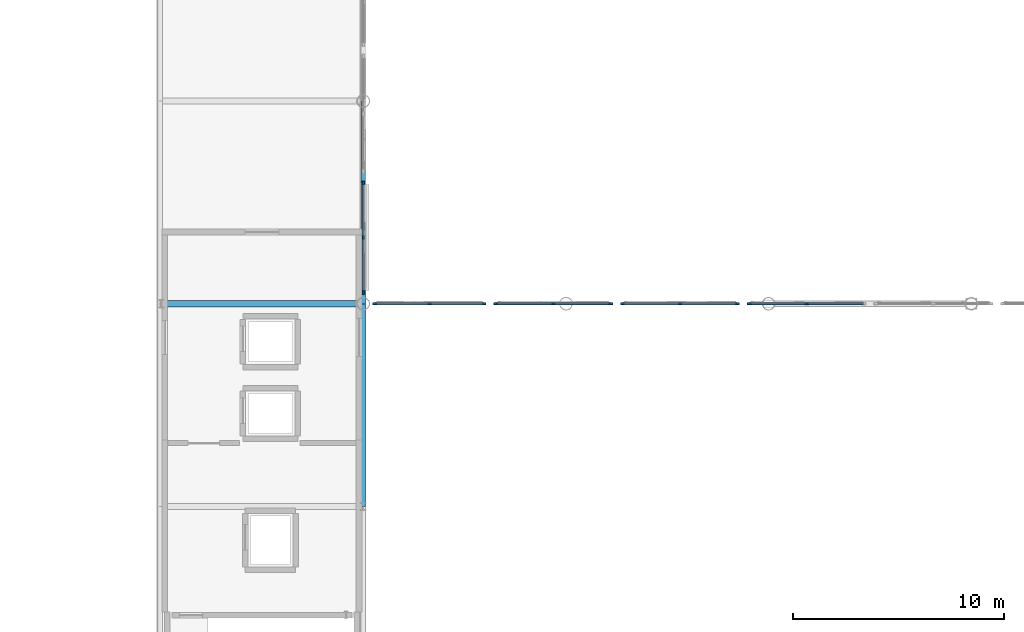
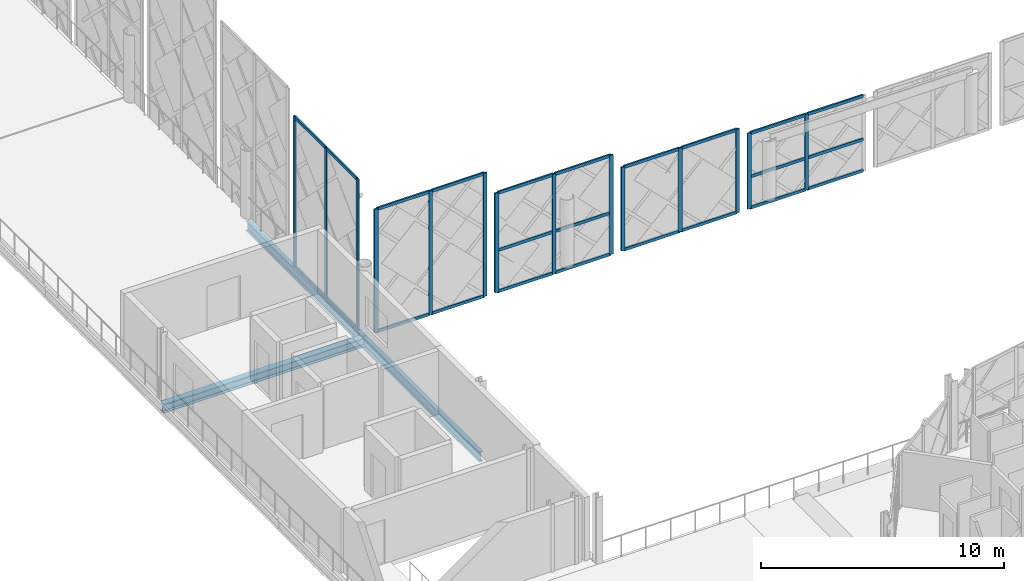
# One storey, part 16 of 53: 38 members, 3 beams, 5 elements without a shape of their own.
"""IFC4 building model written with IfcOpenShell, lengths in metres."""

from ifc_helpers import new_model, si_unit, direction, frame, origin, origin_2d, place, context, subcontext, project, spatial, rectangle, i_section, extrude, material, layer, layer_set, material_profile, profile_set, type_object, element, aggregate, save


model = new_model("IFC4")

# Units and contexts
model_context = context("Model", 3, precision=1e-05, world=origin(), true_north=direction((0.0, 1.0)))
body_context = subcontext(model_context, "Body", "Model", "MODEL_VIEW")
ifc_project = project(units=[si_unit("LENGTHUNIT", "METRE"), si_unit("AREAUNIT", "SQUARE_METRE"), si_unit("VOLUMEUNIT", "CUBIC_METRE"), si_unit("PLANEANGLEUNIT", "RADIAN"), si_unit("MASSUNIT", "GRAM", prefix="KILO")], contexts=[model_context])

# Site, building, storey
site_placement = place(None, origin())
site = spatial("IfcSite", under=ifc_project, at=site_placement, CompositionType="ELEMENT")
building_placement = place(site_placement, origin())
building = spatial("IfcBuilding", under=site, at=building_placement, Name="Zevrakil Square Congress Hotel", CompositionType="ELEMENT")
storey_placement = place(building_placement, frame((0.0, 0.0, 14.699951171875)))
storey = spatial("IfcBuildingStorey", under=building, at=storey_placement, Name="L04", CompositionType="ELEMENT", Elevation=14.699951171875)

# Beams
ifc_material_1 = material(Name="Steel S355", Category="steel")
ifc_material_profile_1 = material_profile(ifc_material_1, i_section(OverallWidth=0.300048828125, OverallDepth=0.43994140625, WebThickness=0.011474609375, FlangeThickness=0.02099609375, FilletRadius=0.027099609375, at=origin_2d()), Name="HEA 450")
ifc_profile_set_1 = profile_set([ifc_material_profile_1], Name="Steel S355")
beam_type_1 = type_object("IfcBeamType", Name="BM-HEA450", PredefinedType="BEAM", material=ifc_profile_set_1)
beam_1_placement = place(storey_placement, frame((108.0, 64.800048828125, -0.47998046875), z_axis=(1.0, 0.0, 0.0), x_axis=(0.0, 1.0, 0.0)))
element("IfcBeam", 1, at=beam_1_placement, inside=storey, type_object=beam_type_1, Name="L04 primary girder BX-1237", PredefinedType="BEAM", context=body_context, shape_type="SweptSolid", body=[
    extrude(i_section(OverallWidth=0.300048828125, OverallDepth=0.43994140625, WebThickness=0.011474609375, FlangeThickness=0.02099609375, FilletRadius=0.027099609375, at=origin_2d()), origin(), (0.0, 0.0, 1.0), 9.60009765625),
])
ifc_material_2 = material(Name="Steel S355", Category="steel")
ifc_material_profile_2 = material_profile(ifc_material_2, i_section(OverallWidth=0.199951171875, OverallDepth=0.5, WebThickness=0.01025390625, FlangeThickness=0.01611328125, FilletRadius=0.02099609375, at=origin_2d()), Name="IPE 500")
ifc_profile_set_2 = profile_set([ifc_material_profile_2], Name="Steel S355")
beam_type_2 = type_object("IfcBeamType", Name="BM-IPE500", PredefinedType="BEAM", material=ifc_profile_set_2)
beam_2_placement = place(storey_placement, frame((117.60009765625, 55.199951171875, -0.510009765625), z_axis=(0.0, 1.0, 0.0), x_axis=(-1.0, 0.0, 0.0)))
element("IfcBeam", 2, at=beam_2_placement, inside=storey, type_object=beam_type_2, Name="L04 primary girder BY-1346", PredefinedType="BEAM", context=body_context, shape_type="SweptSolid", body=[
    extrude(i_section(OverallWidth=0.199951171875, OverallDepth=0.5, WebThickness=0.01025390625, FlangeThickness=0.01611328125, FilletRadius=0.02099609375, at=origin_2d()), origin(), (0.0, 0.0, 1.0), 9.60009765625),
])
beam_3_placement = place(storey_placement, frame((117.60009765625, 64.800048828125, -0.510009765625), z_axis=(0.0, 1.0, 0.0), x_axis=(-1.0, 0.0, 0.0)))
element("IfcBeam", 3, at=beam_3_placement, inside=storey, type_object=beam_type_2, Name="L04 primary girder BY-1347", PredefinedType="BEAM", context=body_context, shape_type="SweptSolid", body=[
    extrude(i_section(OverallWidth=0.199951171875, OverallDepth=0.5, WebThickness=0.01025390625, FlangeThickness=0.01611328125, FilletRadius=0.02099609375, at=origin_2d()), origin(), (0.0, 0.0, 1.0), 9.599853515625),
])

# Curtain wall, members
ifc_material_3 = material(Name="Aluminium Anodised Bronze", Category="aluminium")
ifc_layer = layer(ifc_material_3, 0.179931640625)
ifc_layer_set = layer_set([ifc_layer], Name="Aluminium Anodised Bronze")
curtain_wall_type = type_object("IfcCurtainWallType", Name="CW-L01-560", PredefinedType="USERDEFINED", material=ifc_layer_set)
curtain_wall_1_placement = place(storey_placement, origin())
curtain_wall_1 = element("IfcCurtainWall", 4, at=curtain_wall_1_placement, inside=storey, type_object=curtain_wall_type, Name="L04 diamond curtain wall CW-L04-0067", ObjectType="GLAZED CURTAIN WALL", PredefinedType="USERDEFINED")
ifc_material_4 = material(Name="Aluminium Anodised Bronze", Category="aluminium")
ifc_material_profile_3 = material_profile(ifc_material_4, rectangle(XDim=0.074951171875, YDim=0.14990234375, at=origin_2d()), Name="ALU 75x150")
ifc_profile_set_3 = profile_set([ifc_material_profile_3], Name="Aluminium Anodised Bronze")
member_type_1 = type_object("IfcMemberType", Name="CWM-ALU75x150", PredefinedType="USERDEFINED", material=ifc_profile_set_3)
member_1_placement = place(storey_placement, frame((117.60009765625, 65.3798828125, -0.22998046875), z_axis=(0.0, 1.0, 0.0), x_axis=(-1.0, 0.0, 0.0)))
member_1 = element("IfcMember", 5, at=member_1_placement, type_object=member_type_1, Name="CW-08 transom 1.1", ObjectType="TRANSOM", PredefinedType="USERDEFINED", context=body_context, shape_type="SweptSolid", body=[
    extrude(rectangle(XDim=0.074951171875, YDim=0.14990234375, at=origin_2d()), origin(), (0.0, 0.0, 1.0), 2.525146484375),
])
member_2_placement = place(storey_placement, frame((117.60009765625, 65.3798828125, 7.26611328125), z_axis=(0.0, 1.0, 0.0), x_axis=(-1.0, 0.0, 0.0)))
member_2 = element("IfcMember", 6, at=member_2_placement, type_object=member_type_1, Name="CW-08 transom 1.2", ObjectType="TRANSOM", PredefinedType="USERDEFINED", context=body_context, shape_type="SweptSolid", body=[
    extrude(rectangle(XDim=0.074951171875, YDim=0.14990234375, at=origin_2d()), origin(), (0.0, 0.0, 1.0), 2.525146484375),
])
member_3_placement = place(storey_placement, frame((117.60009765625, 67.965087890625, -0.22998046875), z_axis=(0.0, 1.0, 0.0), x_axis=(-1.0, 0.0, 0.0)))
member_3 = element("IfcMember", 7, at=member_3_placement, type_object=member_type_1, Name="CW-08 transom 2.1", ObjectType="TRANSOM", PredefinedType="USERDEFINED", context=body_context, shape_type="SweptSolid", body=[
    extrude(rectangle(XDim=0.074951171875, YDim=0.14990234375, at=origin_2d()), origin(), (0.0, 0.0, 1.0), 2.52490234375),
])
member_4_placement = place(storey_placement, frame((117.60009765625, 67.965087890625, 7.26611328125), z_axis=(0.0, 1.0, 0.0), x_axis=(-1.0, 0.0, 0.0)))
member_4 = element("IfcMember", 8, at=member_4_placement, type_object=member_type_1, Name="CW-08 transom 2.2", ObjectType="TRANSOM", PredefinedType="USERDEFINED", context=body_context, shape_type="SweptSolid", body=[
    extrude(rectangle(XDim=0.074951171875, YDim=0.14990234375, at=origin_2d()), origin(), (0.0, 0.0, 1.0), 2.52490234375),
])

curtain_wall_2_placement = place(storey_placement, origin())
curtain_wall_2 = element("IfcCurtainWall", 9, at=curtain_wall_2_placement, inside=storey, type_object=curtain_wall_type, Name="L04 diamond curtain wall CW-L04-0083", ObjectType="GLAZED CURTAIN WALL", PredefinedType="USERDEFINED")
member_5_placement = place(storey_placement, frame((118.179931640625, 64.800048828125, -0.22998046875), z_axis=(1.0, 0.0, 0.0), x_axis=(0.0, 1.0, 0.0)))
member_5 = element("IfcMember", 10, at=member_5_placement, type_object=member_type_1, Name="CW-08 transom 1.1", ObjectType="TRANSOM", PredefinedType="USERDEFINED", context=body_context, shape_type="SweptSolid", body=[
    extrude(rectangle(XDim=0.074951171875, YDim=0.14990234375, at=origin_2d()), origin(), (0.0, 0.0, 1.0), 2.525146484375),
])
member_6_placement = place(storey_placement, frame((118.179931640625, 64.800048828125, 5.91015625), z_axis=(1.0, 0.0, 0.0), x_axis=(0.0, 1.0, 0.0)))
member_6 = element("IfcMember", 11, at=member_6_placement, type_object=member_type_1, Name="CW-08 transom 1.2", ObjectType="TRANSOM", PredefinedType="USERDEFINED", context=body_context, shape_type="SweptSolid", body=[
    extrude(rectangle(XDim=0.074951171875, YDim=0.14990234375, at=origin_2d()), origin(), (0.0, 0.0, 1.0), 2.525146484375),
])
member_7_placement = place(storey_placement, frame((120.764892578125, 64.800048828125, -0.22998046875), z_axis=(1.0, 0.0, 0.0), x_axis=(0.0, 1.0, 0.0)))
member_7 = element("IfcMember", 12, at=member_7_placement, type_object=member_type_1, Name="CW-08 transom 2.1", ObjectType="TRANSOM", PredefinedType="USERDEFINED", context=body_context, shape_type="SweptSolid", body=[
    extrude(rectangle(XDim=0.074951171875, YDim=0.14990234375, at=origin_2d()), origin(), (0.0, 0.0, 1.0), 2.525146484375),
])
member_8_placement = place(storey_placement, frame((120.764892578125, 64.800048828125, 5.91015625), z_axis=(1.0, 0.0, 0.0), x_axis=(0.0, 1.0, 0.0)))
member_8 = element("IfcMember", 13, at=member_8_placement, type_object=member_type_1, Name="CW-08 transom 2.2", ObjectType="TRANSOM", PredefinedType="USERDEFINED", context=body_context, shape_type="SweptSolid", body=[
    extrude(rectangle(XDim=0.074951171875, YDim=0.14990234375, at=origin_2d()), origin(), (0.0, 0.0, 1.0), 2.525146484375),
])

curtain_wall_3_placement = place(storey_placement, origin())
curtain_wall_3 = element("IfcCurtainWall", 14, at=curtain_wall_3_placement, inside=storey, type_object=curtain_wall_type, Name="L04 diamond curtain wall CW-L04-0084", ObjectType="GLAZED CURTAIN WALL", PredefinedType="USERDEFINED")
member_9_placement = place(storey_placement, frame((123.909912109375, 64.800048828125, -0.22998046875), z_axis=(1.0, 0.0, 0.0), x_axis=(0.0, 1.0, 0.0)))
member_9 = element("IfcMember", 15, at=member_9_placement, type_object=member_type_1, Name="CW-08 transom 1.1", ObjectType="TRANSOM", PredefinedType="USERDEFINED", context=body_context, shape_type="SweptSolid", body=[
    extrude(rectangle(XDim=0.074951171875, YDim=0.14990234375, at=origin_2d()), origin(), (0.0, 0.0, 1.0), 2.66015625),
])
member_10_placement = place(storey_placement, frame((123.909912109375, 64.800048828125, 1.840087890625), z_axis=(1.0, 0.0, 0.0), x_axis=(0.0, 1.0, 0.0)))
member_10 = element("IfcMember", 16, at=member_10_placement, type_object=member_type_1, Name="CW-08 transom 1.2", ObjectType="TRANSOM", PredefinedType="USERDEFINED", context=body_context, shape_type="SweptSolid", body=[
    extrude(rectangle(XDim=0.074951171875, YDim=0.14990234375, at=origin_2d()), origin(), (0.0, 0.0, 1.0), 2.66015625),
])
member_11_placement = place(storey_placement, frame((123.909912109375, 64.800048828125, 4.7099609375), z_axis=(1.0, 0.0, 0.0), x_axis=(0.0, 1.0, 0.0)))
member_11 = element("IfcMember", 17, at=member_11_placement, type_object=member_type_1, Name="CW-08 transom 1.3", ObjectType="TRANSOM", PredefinedType="USERDEFINED", context=body_context, shape_type="SweptSolid", body=[
    extrude(rectangle(XDim=0.074951171875, YDim=0.14990234375, at=origin_2d()), origin(), (0.0, 0.0, 1.0), 2.66015625),
])
member_12_placement = place(storey_placement, frame((126.6298828125, 64.800048828125, -0.22998046875), z_axis=(1.0, 0.0, 0.0), x_axis=(0.0, 1.0, 0.0)))
member_12 = element("IfcMember", 18, at=member_12_placement, type_object=member_type_1, Name="CW-08 transom 2.1", ObjectType="TRANSOM", PredefinedType="USERDEFINED", context=body_context, shape_type="SweptSolid", body=[
    extrude(rectangle(XDim=0.074951171875, YDim=0.14990234375, at=origin_2d()), origin(), (0.0, 0.0, 1.0), 2.66015625),
])
member_13_placement = place(storey_placement, frame((126.6298828125, 64.800048828125, 1.840087890625), z_axis=(1.0, 0.0, 0.0), x_axis=(0.0, 1.0, 0.0)))
member_13 = element("IfcMember", 19, at=member_13_placement, type_object=member_type_1, Name="CW-08 transom 2.2", ObjectType="TRANSOM", PredefinedType="USERDEFINED", context=body_context, shape_type="SweptSolid", body=[
    extrude(rectangle(XDim=0.074951171875, YDim=0.14990234375, at=origin_2d()), origin(), (0.0, 0.0, 1.0), 2.66015625),
])
member_14_placement = place(storey_placement, frame((126.6298828125, 64.800048828125, 4.7099609375), z_axis=(1.0, 0.0, 0.0), x_axis=(0.0, 1.0, 0.0)))
member_14 = element("IfcMember", 20, at=member_14_placement, type_object=member_type_1, Name="CW-08 transom 2.3", ObjectType="TRANSOM", PredefinedType="USERDEFINED", context=body_context, shape_type="SweptSolid", body=[
    extrude(rectangle(XDim=0.074951171875, YDim=0.14990234375, at=origin_2d()), origin(), (0.0, 0.0, 1.0), 2.66015625),
])

curtain_wall_4_placement = place(storey_placement, origin())
curtain_wall_4 = element("IfcCurtainWall", 21, at=curtain_wall_4_placement, inside=storey, type_object=curtain_wall_type, Name="L04 diamond curtain wall CW-L04-0085", ObjectType="GLAZED CURTAIN WALL", PredefinedType="USERDEFINED")
member_15_placement = place(storey_placement, frame((129.909912109375, 64.800048828125, -0.22998046875), z_axis=(1.0, 0.0, 0.0), x_axis=(0.0, 1.0, 0.0)))
member_15 = element("IfcMember", 22, at=member_15_placement, type_object=member_type_1, Name="CW-08 transom 1.1", ObjectType="TRANSOM", PredefinedType="USERDEFINED", context=body_context, shape_type="SweptSolid", body=[
    extrude(rectangle(XDim=0.074951171875, YDim=0.14990234375, at=origin_2d()), origin(), (0.0, 0.0, 1.0), 2.66015625),
])
member_16_placement = place(storey_placement, frame((129.909912109375, 64.800048828125, 3.91015625), z_axis=(1.0, 0.0, 0.0), x_axis=(0.0, 1.0, 0.0)))
member_16 = element("IfcMember", 23, at=member_16_placement, type_object=member_type_1, Name="CW-08 transom 1.2", ObjectType="TRANSOM", PredefinedType="USERDEFINED", context=body_context, shape_type="SweptSolid", body=[
    extrude(rectangle(XDim=0.074951171875, YDim=0.14990234375, at=origin_2d()), origin(), (0.0, 0.0, 1.0), 2.66015625),
])
member_17_placement = place(storey_placement, frame((132.6298828125, 64.800048828125, -0.22998046875), z_axis=(1.0, 0.0, 0.0), x_axis=(0.0, 1.0, 0.0)))
member_17 = element("IfcMember", 24, at=member_17_placement, type_object=member_type_1, Name="CW-08 transom 2.1", ObjectType="TRANSOM", PredefinedType="USERDEFINED", context=body_context, shape_type="SweptSolid", body=[
    extrude(rectangle(XDim=0.074951171875, YDim=0.14990234375, at=origin_2d()), origin(), (0.0, 0.0, 1.0), 2.66015625),
])
member_18_placement = place(storey_placement, frame((132.6298828125, 64.800048828125, 3.91015625), z_axis=(1.0, 0.0, 0.0), x_axis=(0.0, 1.0, 0.0)))
member_18 = element("IfcMember", 25, at=member_18_placement, type_object=member_type_1, Name="CW-08 transom 2.2", ObjectType="TRANSOM", PredefinedType="USERDEFINED", context=body_context, shape_type="SweptSolid", body=[
    extrude(rectangle(XDim=0.074951171875, YDim=0.14990234375, at=origin_2d()), origin(), (0.0, 0.0, 1.0), 2.66015625),
])

curtain_wall_5_placement = place(storey_placement, origin())
curtain_wall_5 = element("IfcCurtainWall", 26, at=curtain_wall_5_placement, inside=storey, type_object=curtain_wall_type, Name="L04 diamond curtain wall CW-L04-0086", ObjectType="GLAZED CURTAIN WALL", PredefinedType="USERDEFINED")
member_19_placement = place(storey_placement, frame((135.909912109375, 64.800048828125, -0.22998046875), z_axis=(1.0, 0.0, 0.0), x_axis=(0.0, 1.0, 0.0)))
member_19 = element("IfcMember", 27, at=member_19_placement, type_object=member_type_1, Name="CW-08 transom 1.1", ObjectType="TRANSOM", PredefinedType="USERDEFINED", context=body_context, shape_type="SweptSolid", body=[
    extrude(rectangle(XDim=0.074951171875, YDim=0.14990234375, at=origin_2d()), origin(), (0.0, 0.0, 1.0), 2.66015625),
])
member_20_placement = place(storey_placement, frame((135.909912109375, 64.800048828125, 1.3359375), z_axis=(1.0, 0.0, 0.0), x_axis=(0.0, 1.0, 0.0)))
member_20 = element("IfcMember", 28, at=member_20_placement, type_object=member_type_1, Name="CW-08 transom 1.2", ObjectType="TRANSOM", PredefinedType="USERDEFINED", context=body_context, shape_type="SweptSolid", body=[
    extrude(rectangle(XDim=0.074951171875, YDim=0.14990234375, at=origin_2d()), origin(), (0.0, 0.0, 1.0), 2.66015625),
])
member_21_placement = place(storey_placement, frame((135.909912109375, 64.800048828125, 3.510009765625), z_axis=(1.0, 0.0, 0.0), x_axis=(0.0, 1.0, 0.0)))
member_21 = element("IfcMember", 29, at=member_21_placement, type_object=member_type_1, Name="CW-08 transom 1.3", ObjectType="TRANSOM", PredefinedType="USERDEFINED", context=body_context, shape_type="SweptSolid", body=[
    extrude(rectangle(XDim=0.074951171875, YDim=0.14990234375, at=origin_2d()), origin(), (0.0, 0.0, 1.0), 2.66015625),
])
member_22_placement = place(storey_placement, frame((138.6298828125, 64.800048828125, -0.22998046875), z_axis=(1.0, 0.0, 0.0), x_axis=(0.0, 1.0, 0.0)))
member_22 = element("IfcMember", 30, at=member_22_placement, type_object=member_type_1, Name="CW-08 transom 2.1", ObjectType="TRANSOM", PredefinedType="USERDEFINED", context=body_context, shape_type="SweptSolid", body=[
    extrude(rectangle(XDim=0.074951171875, YDim=0.14990234375, at=origin_2d()), origin(), (0.0, 0.0, 1.0), 2.66015625),
])
member_23_placement = place(storey_placement, frame((138.6298828125, 64.800048828125, 1.3359375), z_axis=(1.0, 0.0, 0.0), x_axis=(0.0, 1.0, 0.0)))
member_23 = element("IfcMember", 31, at=member_23_placement, type_object=member_type_1, Name="CW-08 transom 2.2", ObjectType="TRANSOM", PredefinedType="USERDEFINED", context=body_context, shape_type="SweptSolid", body=[
    extrude(rectangle(XDim=0.074951171875, YDim=0.14990234375, at=origin_2d()), origin(), (0.0, 0.0, 1.0), 2.66015625),
])
member_24_placement = place(storey_placement, frame((138.6298828125, 64.800048828125, 3.510009765625), z_axis=(1.0, 0.0, 0.0), x_axis=(0.0, 1.0, 0.0)))
member_24 = element("IfcMember", 32, at=member_24_placement, type_object=member_type_1, Name="CW-08 transom 2.3", ObjectType="TRANSOM", PredefinedType="USERDEFINED", context=body_context, shape_type="SweptSolid", body=[
    extrude(rectangle(XDim=0.074951171875, YDim=0.14990234375, at=origin_2d()), origin(), (0.0, 0.0, 1.0), 2.66015625),
])

# Member
ifc_material_5 = material(Name="Aluminium Anodised Bronze", Category="aluminium")
ifc_material_profile_4 = material_profile(ifc_material_5, rectangle(XDim=0.074951171875, YDim=0.179931640625, at=origin_2d()), Name="ALU 75x180")
ifc_profile_set_4 = profile_set([ifc_material_profile_4], Name="Aluminium Anodised Bronze")
member_type_2 = type_object("IfcMemberType", Name="CWM-ALU75x180", PredefinedType="MULLION", material=ifc_profile_set_4)
member_25_placement = place(storey_placement, frame((117.60009765625, 65.35009765625, -0.260009765625), z_axis=(0.0, 0.0, 1.0), x_axis=(-1.0, 0.0, 0.0)))
member_25 = element("IfcMember", 33, at=member_25_placement, type_object=member_type_2, Name="CW-08 mullion 1", PredefinedType="MULLION", context=body_context, shape_type="SweptSolid", body=[
    extrude(rectangle(XDim=0.074951171875, YDim=0.179931640625, at=origin_2d()), origin(), (0.0, 0.0, 1.0), 7.55615234375),
])

member_26_placement = place(storey_placement, frame((117.60009765625, 67.93505859375, -0.260009765625), z_axis=(0.0, 0.0, 1.0), x_axis=(-1.0, 0.0, 0.0)))
member_26 = element("IfcMember", 34, at=member_26_placement, type_object=member_type_2, Name="CW-08 mullion 2", PredefinedType="MULLION", context=body_context, shape_type="SweptSolid", body=[
    extrude(rectangle(XDim=0.074951171875, YDim=0.179931640625, at=origin_2d()), origin(), (0.0, 0.0, 1.0), 7.55615234375),
])

member_27_placement = place(storey_placement, frame((117.60009765625, 70.52001953125, -0.260009765625), z_axis=(0.0, 0.0, 1.0), x_axis=(-1.0, 0.0, 0.0)))
member_27 = element("IfcMember", 35, at=member_27_placement, type_object=member_type_2, Name="CW-08 mullion 3", PredefinedType="MULLION", context=body_context, shape_type="SweptSolid", body=[
    extrude(rectangle(XDim=0.074951171875, YDim=0.179931640625, at=origin_2d()), origin(), (0.0, 0.0, 1.0), 7.55615234375),
])

aggregate(curtain_wall_1, [member_25, member_26, member_27, member_1, member_2, member_3, member_4])

member_28_placement = place(storey_placement, frame((118.14990234375, 64.800048828125, -0.260009765625), z_axis=(0.0, 0.0, 1.0), x_axis=(0.0, 1.0, 0.0)))
member_28 = element("IfcMember", 36, at=member_28_placement, type_object=member_type_2, Name="CW-08 mullion 1", PredefinedType="MULLION", context=body_context, shape_type="SweptSolid", body=[
    extrude(rectangle(XDim=0.074951171875, YDim=0.179931640625, at=origin_2d()), origin(), (0.0, 0.0, 1.0), 6.199951171875),
])

member_29_placement = place(storey_placement, frame((120.735107421875, 64.800048828125, -0.260009765625), z_axis=(0.0, 0.0, 1.0), x_axis=(0.0, 1.0, 0.0)))
member_29 = element("IfcMember", 37, at=member_29_placement, type_object=member_type_2, Name="CW-08 mullion 2", PredefinedType="MULLION", context=body_context, shape_type="SweptSolid", body=[
    extrude(rectangle(XDim=0.074951171875, YDim=0.179931640625, at=origin_2d()), origin(), (0.0, 0.0, 1.0), 6.199951171875),
])

member_30_placement = place(storey_placement, frame((123.320068359375, 64.800048828125, -0.260009765625), z_axis=(0.0, 0.0, 1.0), x_axis=(0.0, 1.0, 0.0)))
member_30 = element("IfcMember", 38, at=member_30_placement, type_object=member_type_2, Name="CW-08 mullion 3", PredefinedType="MULLION", context=body_context, shape_type="SweptSolid", body=[
    extrude(rectangle(XDim=0.074951171875, YDim=0.179931640625, at=origin_2d()), origin(), (0.0, 0.0, 1.0), 6.199951171875),
])

aggregate(curtain_wall_2, [member_28, member_29, member_30, member_5, member_6, member_7, member_8])

member_31_placement = place(storey_placement, frame((123.8798828125, 64.800048828125, -0.260009765625), z_axis=(0.0, 0.0, 1.0), x_axis=(0.0, 1.0, 0.0)))
member_31 = element("IfcMember", 39, at=member_31_placement, type_object=member_type_2, Name="CW-08 mullion 1", PredefinedType="MULLION", context=body_context, shape_type="SweptSolid", body=[
    extrude(rectangle(XDim=0.074951171875, YDim=0.179931640625, at=origin_2d()), origin(), (0.0, 0.0, 1.0), 5.0),
])

member_32_placement = place(storey_placement, frame((126.60009765625, 64.800048828125, -0.260009765625), z_axis=(0.0, 0.0, 1.0), x_axis=(0.0, 1.0, 0.0)))
member_32 = element("IfcMember", 40, at=member_32_placement, type_object=member_type_2, Name="CW-08 mullion 2", PredefinedType="MULLION", context=body_context, shape_type="SweptSolid", body=[
    extrude(rectangle(XDim=0.074951171875, YDim=0.179931640625, at=origin_2d()), origin(), (0.0, 0.0, 1.0), 5.0),
])

member_33_placement = place(storey_placement, frame((129.320068359375, 64.800048828125, -0.260009765625), z_axis=(0.0, 0.0, 1.0), x_axis=(0.0, 1.0, 0.0)))
member_33 = element("IfcMember", 41, at=member_33_placement, type_object=member_type_2, Name="CW-08 mullion 3", PredefinedType="MULLION", context=body_context, shape_type="SweptSolid", body=[
    extrude(rectangle(XDim=0.074951171875, YDim=0.179931640625, at=origin_2d()), origin(), (0.0, 0.0, 1.0), 5.0),
])

aggregate(curtain_wall_3, [member_31, member_32, member_33, member_9, member_10, member_11, member_12, member_13, member_14])

member_34_placement = place(storey_placement, frame((129.8798828125, 64.800048828125, -0.260009765625), z_axis=(0.0, 0.0, 1.0), x_axis=(0.0, 1.0, 0.0)))
member_34 = element("IfcMember", 42, at=member_34_placement, type_object=member_type_2, Name="CW-08 mullion 1", PredefinedType="MULLION", context=body_context, shape_type="SweptSolid", body=[
    extrude(rectangle(XDim=0.074951171875, YDim=0.179931640625, at=origin_2d()), origin(), (0.0, 0.0, 1.0), 4.199951171875),
])

member_35_placement = place(storey_placement, frame((132.60009765625, 64.800048828125, -0.260009765625), z_axis=(0.0, 0.0, 1.0), x_axis=(0.0, 1.0, 0.0)))
member_35 = element("IfcMember", 43, at=member_35_placement, type_object=member_type_2, Name="CW-08 mullion 2", PredefinedType="MULLION", context=body_context, shape_type="SweptSolid", body=[
    extrude(rectangle(XDim=0.074951171875, YDim=0.179931640625, at=origin_2d()), origin(), (0.0, 0.0, 1.0), 4.199951171875),
])

member_36_placement = place(storey_placement, frame((135.320068359375, 64.800048828125, -0.260009765625), z_axis=(0.0, 0.0, 1.0), x_axis=(0.0, 1.0, 0.0)))
member_36 = element("IfcMember", 44, at=member_36_placement, type_object=member_type_2, Name="CW-08 mullion 3", PredefinedType="MULLION", context=body_context, shape_type="SweptSolid", body=[
    extrude(rectangle(XDim=0.074951171875, YDim=0.179931640625, at=origin_2d()), origin(), (0.0, 0.0, 1.0), 4.199951171875),
])

aggregate(curtain_wall_4, [member_34, member_35, member_36, member_15, member_16, member_17, member_18])

member_37_placement = place(storey_placement, frame((135.8798828125, 64.800048828125, -0.260009765625), z_axis=(0.0, 0.0, 1.0), x_axis=(0.0, 1.0, 0.0)))
member_37 = element("IfcMember", 45, at=member_37_placement, type_object=member_type_2, Name="CW-08 mullion 1", PredefinedType="MULLION", context=body_context, shape_type="SweptSolid", body=[
    extrude(rectangle(XDim=0.074951171875, YDim=0.179931640625, at=origin_2d()), origin(), (0.0, 0.0, 1.0), 3.800048828125),
])

member_38_placement = place(storey_placement, frame((138.60009765625, 64.800048828125, -0.260009765625), z_axis=(0.0, 0.0, 1.0), x_axis=(0.0, 1.0, 0.0)))
member_38 = element("IfcMember", 46, at=member_38_placement, type_object=member_type_2, Name="CW-08 mullion 2", PredefinedType="MULLION", context=body_context, shape_type="SweptSolid", body=[
    extrude(rectangle(XDim=0.074951171875, YDim=0.179931640625, at=origin_2d()), origin(), (0.0, 0.0, 1.0), 3.800048828125),
])

aggregate(curtain_wall_5, [member_37, member_38, member_19, member_20, member_21, member_22, member_23, member_24])

save(model, "model.ifc")
